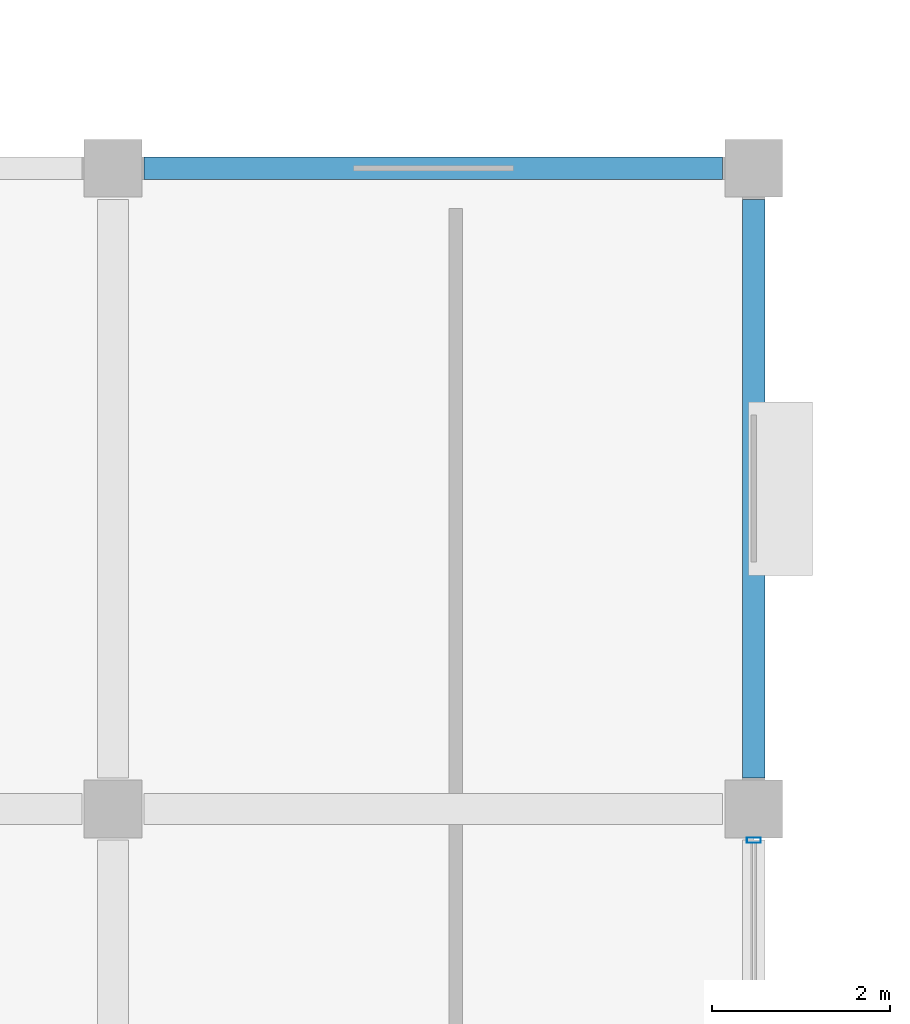
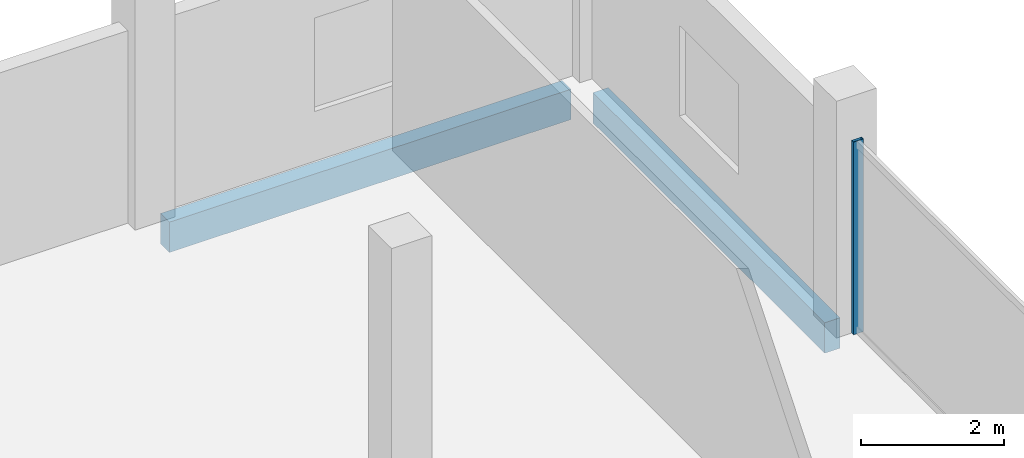
# One storey, part 8 of 59: 2 beams, 1 member, 1 element without a shape of its own.
"""IFC4 building model written with IfcOpenShell, lengths in metres."""

from ifc_helpers import new_model, si_unit, direction, frame, origin, origin_2d, place, context, subcontext, project, spatial, rectangle, hollow_rectangle, extrude, material, layer, layer_set, material_profile, profile_set, type_object, element, aggregate, save


model = new_model("IFC4")

# Units and contexts
model_context = context("Model", 3, precision=1e-05, world=origin(), true_north=direction((0.0, 1.0)))
body_context = subcontext(model_context, "Body", "Model", "MODEL_VIEW")
ifc_project = project(units=[si_unit("LENGTHUNIT", "METRE"), si_unit("AREAUNIT", "SQUARE_METRE"), si_unit("VOLUMEUNIT", "CUBIC_METRE"), si_unit("PLANEANGLEUNIT", "RADIAN"), si_unit("MASSUNIT", "GRAM", prefix="KILO")], contexts=[model_context])

# Site, building, storey
site_placement = place(None, origin())
site = spatial("IfcSite", under=ifc_project, at=site_placement, CompositionType="ELEMENT")
building_placement = place(site_placement, origin())
building = spatial("IfcBuilding", under=site, at=building_placement, Name="Kangsadwip Square Police Headquarters", CompositionType="ELEMENT")
storey_placement = place(building_placement, frame((0.0, 0.0, 21.60009765625)))
storey = spatial("IfcBuildingStorey", under=building, at=storey_placement, Name="L05", CompositionType="ELEMENT", Elevation=21.60009765625)

# Curtain wall, member
ifc_material_1 = material(Name="Thermally broken anodised aluminium AW-6063-T6", Category="aluminium")
ifc_layer = layer(ifc_material_1, 0.159912109375)
ifc_layer_set = layer_set([ifc_layer], Name="Thermally broken anodised aluminium AW-6063-T6")
curtain_wall_type = type_object("IfcCurtainWallType", Name="CourtScreen6560x3300", PredefinedType="USERDEFINED", material=ifc_layer_set)
curtain_wall_placement = place(storey_placement, origin())
curtain_wall = element("IfcCurtainWall", 1, at=curtain_wall_placement, inside=storey, type_object=curtain_wall_type, Name="Curtain Wall CW-L05-0216-0795", ObjectType="GLAZED_SCREEN", PredefinedType="USERDEFINED")
ifc_material_2 = material(Name="Thermally broken anodised aluminium AW-6063-T6", Category="aluminium")
ifc_material_profile_1 = material_profile(ifc_material_2, hollow_rectangle(XDim=0.06005859375, YDim=0.159912109375, WallThickness=0.00390625, at=origin_2d()), Name="CWM 160X60X4")
ifc_profile_set_1 = profile_set([ifc_material_profile_1], Name="Thermally broken anodised aluminium AW-6063-T6")
member_type = type_object("IfcMemberType", Name="CwMullion135x60", PredefinedType="MULLION", material=ifc_profile_set_1)
member_placement = place(storey_placement, frame((21.60009765625, 86.050048828125, 0.0), z_axis=(0.0, 0.0, 1.0), x_axis=(0.0, 1.0, 0.0)))
member = element("IfcMember", 2, at=member_placement, type_object=member_type, Name="CW-48 mullion 2", PredefinedType="MULLION", context=body_context, shape_type="SweptSolid", body=[
    extrude(hollow_rectangle(XDim=0.06005859375, YDim=0.159912109375, WallThickness=0.00390625, at=origin_2d()), origin(), (0.0, 0.0, 1.0), 3.2998046875),
])
aggregate(curtain_wall, [member])

# Beams
ifc_material_3 = material(Name="Concrete M35 (35 MPa)", Category="concrete")
ifc_material_profile_2 = material_profile(ifc_material_3, rectangle(XDim=0.25, YDim=0.52001953125, at=origin_2d()), Name="RC SPN 520X250")
ifc_profile_set_2 = profile_set([ifc_material_profile_2], Name="Concrete M35 (35 MPa)")
beam_type = type_object("IfcBeamType", Name="RcSpandrel520x250", PredefinedType="SPANDREL", material=ifc_profile_set_2)
for number, where, z_axis, x_axis, name in (
    (3, (14.75, 93.60009765625, -0.47998046875), (1.0, 0.0, 0.0), (0.0, 1.0, 0.0), "Beam BM-L05-X-02-13"),
    (4, (21.60009765625, 86.75, -0.47998046875), (0.0, 1.0, 0.0), (-1.0, 0.0, 0.0), "Beam BM-L05-Y-03-12"),
):
    element("IfcBeam", number, at=place(storey_placement, frame(where, z_axis=z_axis, x_axis=x_axis)), inside=storey, type_object=beam_type, Name=name, PredefinedType="SPANDREL", context=body_context, shape_type="SweptSolid", body=[
        extrude(rectangle(XDim=0.25, YDim=0.52001953125, at=origin_2d()), origin(), (0.0, 0.0, 1.0), 6.5),
    ])

save(model, "model.ifc")
